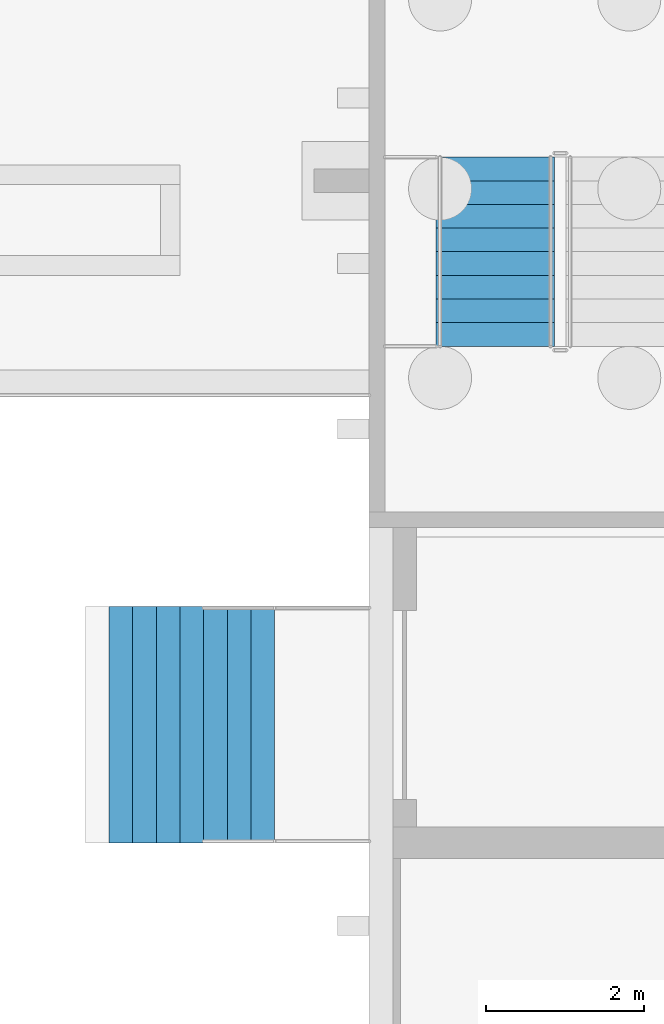
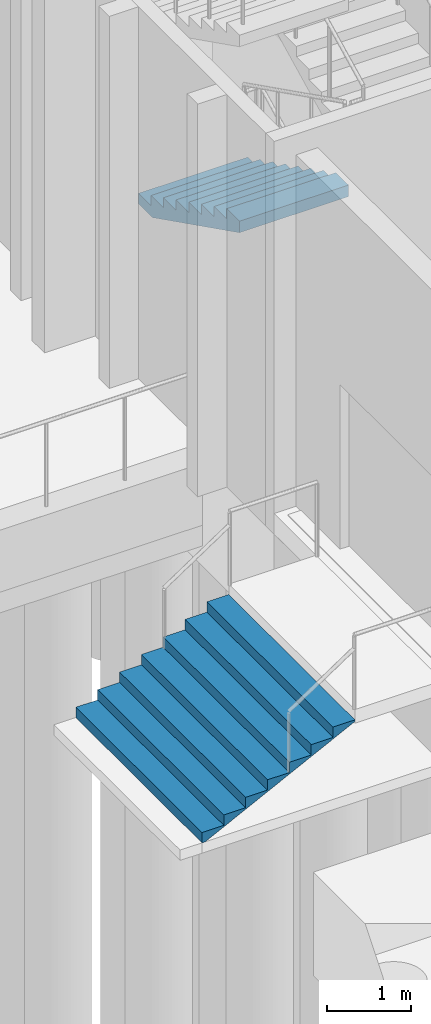
# One storey, part 79 of 129: 2 stair flights, 2 elements without a shape of their own.
"""IFC4 building model written with IfcOpenShell, lengths in metres."""

from ifc_helpers import new_model, si_unit, direction, frame, origin, place, context, subcontext, project, spatial, faceted_brep, material, type_object, element, aggregate, save


model = new_model("IFC4")

# Units and contexts
model_context = context("Model", 3, precision=1e-05, world=origin(), true_north=direction((0.0, 1.0)))
body_context = subcontext(model_context, "Body", "Model", "MODEL_VIEW")
ifc_project = project(units=[si_unit("LENGTHUNIT", "METRE"), si_unit("AREAUNIT", "SQUARE_METRE"), si_unit("VOLUMEUNIT", "CUBIC_METRE"), si_unit("PLANEANGLEUNIT", "RADIAN"), si_unit("MASSUNIT", "GRAM", prefix="KILO")], contexts=[model_context])

# Site, building, storey
site_placement = place(None, origin())
site = spatial("IfcSite", under=ifc_project, at=site_placement, CompositionType="ELEMENT")
building_placement = place(site_placement, origin())
building = spatial("IfcBuilding", under=site, at=building_placement, Name="Kiln Court Media Centre", CompositionType="ELEMENT")
storey_placement = place(building_placement, origin())
storey = spatial("IfcBuildingStorey", under=building, at=storey_placement, Name="L00", CompositionType="ELEMENT", Elevation=0.0)

# Stair, stair flight
ifc_material_1 = material(Name="Concrete C30/37", Category="concrete")
stair_type_1 = type_object("IfcStairType", Name="Concrete C30/37 porch steps EN-10", PredefinedType="STRAIGHT_RUN_STAIR", material=ifc_material_1)
stair_1_placement = place(storey_placement, origin())
stair_1 = element("IfcStair", 1, at=stair_1_placement, inside=storey, type_object=stair_type_1, Name="Concrete C30/37 porch steps EN-10", PredefinedType="STRAIGHT_RUN_STAIR")
ifc_material_2 = material(Name="Concrete C30/37", Category="concrete")
stair_flight_type_1 = type_object("IfcStairFlightType", Name="Concrete C30/37 porch steps EN-10 flight", PredefinedType="STRAIGHT", material=ifc_material_2)
stair_flight_1_placement = place(storey_placement, frame((122.699951171875, 14.10009765625, -1.199951171875), z_axis=(0.0, 0.0, 1.0), x_axis=(1.0, 0.0, 0.0)))
stair_flight_1 = element("IfcStairFlight", 2, at=stair_flight_1_placement, type_object=stair_flight_type_1, Name="ST-E5 flight 1", NumberOfRisers=8, NumberOfTreads=7, PredefinedType="STRAIGHT", RiserHeight=0.15, TreadLength=0.3, context=body_context, shape_type="Brep", body=[
    faceted_brep([(0.044677734375, -1.5, 0.0), (2.10009765625, -1.5, 1.027587890625), (2.10009765625, -1.5, 1.050048828125), (1.800048828125, -1.5, 1.050048828125), (1.800048828125, -1.5, 0.89990234375), (1.5, -1.5, 0.89990234375), (1.5, -1.5, 0.75), (1.199951171875, -1.5, 0.75), (1.199951171875, -1.5, 0.60009765625), (0.89990234375, -1.5, 0.60009765625), (0.89990234375, -1.5, 0.449951171875), (0.60009765625, -1.5, 0.449951171875), (0.60009765625, -1.5, 0.300048828125), (0.300048828125, -1.5, 0.300048828125), (0.300048828125, -1.5, 0.14990234375), (0.0, -1.5, 0.14990234375), (0.0, -1.5, 0.0), (0.0, 1.5, 0.0), (0.0, 1.5, 0.14990234375), (0.300048828125, 1.5, 0.14990234375), (0.300048828125, 1.5, 0.300048828125), (0.60009765625, 1.5, 0.300048828125), (0.60009765625, 1.5, 0.449951171875), (0.89990234375, 1.5, 0.449951171875), (0.89990234375, 1.5, 0.60009765625), (1.199951171875, 1.5, 0.60009765625), (1.199951171875, 1.5, 0.75), (1.5, 1.5, 0.75), (1.5, 1.5, 0.89990234375), (1.800048828125, 1.5, 0.89990234375), (1.800048828125, 1.5, 1.050048828125), (2.10009765625, 1.5, 1.050048828125), (2.10009765625, 1.5, 1.027587890625), (0.044677734375, 1.5, 0.0), (2.10009765625, 0.10009765625, 1.027587890625), (0.044677734375, 0.10009765625, 0.0), (2.10009765625, 0.080078125, 1.027587890625), (0.044677734375, 0.080078125, 0.0), (2.10009765625, 0.06005859375, 1.027587890625), (0.044677734375, 0.06005859375, 0.0), (2.10009765625, 0.0400390625, 1.027587890625), (0.044677734375, 0.0400390625, 0.0), (2.10009765625, 0.02001953125, 1.027587890625), (0.044677734375, 0.02001953125, 0.0), (2.10009765625, 0.0, 1.027587890625), (0.044677734375, 0.0, 0.0), (2.10009765625, -0.02001953125, 1.027587890625), (0.044677734375, -0.02001953125, 0.0), (2.10009765625, -0.0400390625, 1.027587890625), (0.044677734375, -0.0400390625, 0.0), (2.10009765625, -0.06005859375, 1.027587890625), (0.044677734375, -0.06005859375, 0.0), (2.10009765625, -0.080078125, 1.027587890625), (0.044677734375, -0.080078125, 0.0), (2.10009765625, -0.10009765625, 1.027587890625), (0.044677734375, -0.10009765625, 0.0), (2.10009765625, 0.10009765625, 1.050048828125), (2.10009765625, 0.080078125, 1.050048828125), (2.10009765625, 0.06005859375, 1.050048828125), (2.10009765625, 0.0400390625, 1.050048828125), (2.10009765625, 0.02001953125, 1.050048828125), (2.10009765625, 0.0, 1.050048828125), (2.10009765625, -0.02001953125, 1.050048828125), (2.10009765625, -0.0400390625, 1.050048828125), (2.10009765625, -0.06005859375, 1.050048828125), (2.10009765625, -0.080078125, 1.050048828125), (2.10009765625, -0.10009765625, 1.050048828125), (1.800048828125, 0.10009765625, 1.050048828125), (1.800048828125, 0.080078125, 1.050048828125), (1.800048828125, 0.06005859375, 1.050048828125), (1.800048828125, 0.0400390625, 1.050048828125), (1.800048828125, 0.02001953125, 1.050048828125), (1.800048828125, 0.0, 1.050048828125), (1.800048828125, -0.02001953125, 1.050048828125), (1.800048828125, -0.0400390625, 1.050048828125), (1.800048828125, -0.06005859375, 1.050048828125), (1.800048828125, -0.080078125, 1.050048828125), (1.800048828125, -0.10009765625, 1.050048828125), (1.800048828125, 0.10009765625, 0.89990234375), (1.800048828125, 0.080078125, 0.89990234375), (1.800048828125, 0.06005859375, 0.89990234375), (1.800048828125, 0.0400390625, 0.89990234375), (1.800048828125, 0.02001953125, 0.89990234375), (1.800048828125, 0.0, 0.89990234375), (1.800048828125, -0.02001953125, 0.89990234375), (1.800048828125, -0.0400390625, 0.89990234375), (1.800048828125, -0.06005859375, 0.89990234375), (1.800048828125, -0.080078125, 0.89990234375), (1.800048828125, -0.10009765625, 0.89990234375), (1.5, 0.10009765625, 0.89990234375), (1.5, 0.080078125, 0.89990234375), (1.5, 0.06005859375, 0.89990234375), (1.5, 0.0400390625, 0.89990234375), (1.5, 0.02001953125, 0.89990234375), (1.5, 0.0, 0.89990234375), (1.5, -0.02001953125, 0.89990234375), (1.5, -0.0400390625, 0.89990234375), (1.5, -0.06005859375, 0.89990234375), (1.5, -0.080078125, 0.89990234375), (1.5, -0.10009765625, 0.89990234375), (1.5, 0.10009765625, 0.75), (1.5, 0.080078125, 0.75), (1.5, 0.06005859375, 0.75), (1.5, 0.0400390625, 0.75), (1.5, 0.02001953125, 0.75), (1.5, 0.0, 0.75), (1.5, -0.02001953125, 0.75), (1.5, -0.0400390625, 0.75), (1.5, -0.06005859375, 0.75), (1.5, -0.080078125, 0.75), (1.5, -0.10009765625, 0.75), (1.199951171875, 0.10009765625, 0.75), (1.199951171875, 0.080078125, 0.75), (1.199951171875, 0.06005859375, 0.75), (1.199951171875, 0.0400390625, 0.75), (1.199951171875, 0.02001953125, 0.75), (1.199951171875, 0.0, 0.75), (1.199951171875, -0.02001953125, 0.75), (1.199951171875, -0.0400390625, 0.75), (1.199951171875, -0.06005859375, 0.75), (1.199951171875, -0.080078125, 0.75), (1.199951171875, -0.10009765625, 0.75), (1.199951171875, 0.10009765625, 0.60009765625), (1.199951171875, 0.080078125, 0.60009765625), (1.199951171875, 0.06005859375, 0.60009765625), (1.199951171875, 0.0400390625, 0.60009765625), (1.199951171875, 0.02001953125, 0.60009765625), (1.199951171875, 0.0, 0.60009765625), (1.199951171875, -0.02001953125, 0.60009765625), (1.199951171875, -0.0400390625, 0.60009765625), (1.199951171875, -0.06005859375, 0.60009765625), (1.199951171875, -0.080078125, 0.60009765625), (1.199951171875, -0.10009765625, 0.60009765625), (0.89990234375, 0.10009765625, 0.60009765625), (0.89990234375, 0.080078125, 0.60009765625), (0.89990234375, 0.06005859375, 0.60009765625), (0.89990234375, 0.0400390625, 0.60009765625), (0.89990234375, 0.02001953125, 0.60009765625), (0.89990234375, 0.0, 0.60009765625), (0.89990234375, -0.02001953125, 0.60009765625), (0.89990234375, -0.0400390625, 0.60009765625), (0.89990234375, -0.06005859375, 0.60009765625), (0.89990234375, -0.080078125, 0.60009765625), (0.89990234375, -0.10009765625, 0.60009765625), (0.89990234375, 0.10009765625, 0.449951171875), (0.89990234375, 0.080078125, 0.449951171875), (0.89990234375, 0.06005859375, 0.449951171875), (0.89990234375, 0.0400390625, 0.449951171875), (0.89990234375, 0.02001953125, 0.449951171875), (0.89990234375, 0.0, 0.449951171875), (0.89990234375, -0.02001953125, 0.449951171875), (0.89990234375, -0.0400390625, 0.449951171875), (0.89990234375, -0.06005859375, 0.449951171875), (0.89990234375, -0.080078125, 0.449951171875), (0.89990234375, -0.10009765625, 0.449951171875), (0.60009765625, 0.10009765625, 0.449951171875), (0.60009765625, 0.080078125, 0.449951171875), (0.60009765625, 0.06005859375, 0.449951171875), (0.60009765625, 0.0400390625, 0.449951171875), (0.60009765625, 0.02001953125, 0.449951171875), (0.60009765625, 0.0, 0.449951171875), (0.60009765625, -0.02001953125, 0.449951171875), (0.60009765625, -0.0400390625, 0.449951171875), (0.60009765625, -0.06005859375, 0.449951171875), (0.60009765625, -0.080078125, 0.449951171875), (0.60009765625, -0.10009765625, 0.449951171875), (0.60009765625, 0.10009765625, 0.300048828125), (0.60009765625, 0.080078125, 0.300048828125), (0.60009765625, 0.06005859375, 0.300048828125), (0.60009765625, 0.0400390625, 0.300048828125), (0.60009765625, 0.02001953125, 0.300048828125), (0.60009765625, 0.0, 0.300048828125), (0.60009765625, -0.02001953125, 0.300048828125), (0.60009765625, -0.0400390625, 0.300048828125), (0.60009765625, -0.06005859375, 0.300048828125), (0.60009765625, -0.080078125, 0.300048828125), (0.60009765625, -0.10009765625, 0.300048828125), (0.300048828125, 0.10009765625, 0.300048828125), (0.300048828125, 0.080078125, 0.300048828125), (0.300048828125, 0.06005859375, 0.300048828125), (0.300048828125, 0.0400390625, 0.300048828125), (0.300048828125, 0.02001953125, 0.300048828125), (0.300048828125, 0.0, 0.300048828125), (0.300048828125, -0.02001953125, 0.300048828125), (0.300048828125, -0.0400390625, 0.300048828125), (0.300048828125, -0.06005859375, 0.300048828125), (0.300048828125, -0.080078125, 0.300048828125), (0.300048828125, -0.10009765625, 0.300048828125), (0.300048828125, 0.10009765625, 0.14990234375), (0.300048828125, 0.080078125, 0.14990234375), (0.300048828125, 0.06005859375, 0.14990234375), (0.300048828125, 0.0400390625, 0.14990234375), (0.300048828125, 0.02001953125, 0.14990234375), (0.300048828125, 0.0, 0.14990234375), (0.300048828125, -0.02001953125, 0.14990234375), (0.300048828125, -0.0400390625, 0.14990234375), (0.300048828125, -0.06005859375, 0.14990234375), (0.300048828125, -0.080078125, 0.14990234375), (0.300048828125, -0.10009765625, 0.14990234375), (0.0, 0.10009765625, 0.14990234375), (0.0, 0.080078125, 0.14990234375), (0.0, 0.06005859375, 0.14990234375), (0.0, 0.0400390625, 0.14990234375), (0.0, 0.02001953125, 0.14990234375), (0.0, 0.0, 0.14990234375), (0.0, -0.02001953125, 0.14990234375), (0.0, -0.0400390625, 0.14990234375), (0.0, -0.06005859375, 0.14990234375), (0.0, -0.080078125, 0.14990234375), (0.0, -0.10009765625, 0.14990234375), (0.0, 0.10009765625, 0.0), (0.0, 0.080078125, 0.0), (0.0, 0.06005859375, 0.0), (0.0, 0.0400390625, 0.0), (0.0, 0.02001953125, 0.0), (0.0, 0.0, 0.0), (0.0, -0.02001953125, 0.0), (0.0, -0.0400390625, 0.0), (0.0, -0.06005859375, 0.0), (0.0, -0.080078125, 0.0), (0.0, -0.10009765625, 0.0)], [[[0, 1, 2, 3, 4, 5, 6, 7, 8, 9, 10, 11, 12, 13, 14, 15, 16]], [[17, 18, 19, 20, 21, 22, 23, 24, 25, 26, 27, 28, 29, 30, 31, 32, 33]], [[33, 32, 34, 35]], [[35, 34, 36, 37]], [[37, 36, 38, 39]], [[39, 38, 40, 41]], [[41, 40, 42, 43]], [[43, 42, 44, 45]], [[45, 44, 46, 47]], [[47, 46, 48, 49]], [[49, 48, 50, 51]], [[51, 50, 52, 53]], [[53, 52, 54, 55]], [[55, 54, 1, 0]], [[32, 31, 56, 34]], [[34, 56, 57, 36]], [[36, 57, 58, 38]], [[38, 58, 59, 40]], [[40, 59, 60, 42]], [[42, 60, 61, 44]], [[44, 61, 62, 46]], [[46, 62, 63, 48]], [[48, 63, 64, 50]], [[50, 64, 65, 52]], [[52, 65, 66, 54]], [[54, 66, 2, 1]], [[31, 30, 67, 56]], [[56, 67, 68, 57]], [[57, 68, 69, 58]], [[58, 69, 70, 59]], [[59, 70, 71, 60]], [[60, 71, 72, 61]], [[61, 72, 73, 62]], [[62, 73, 74, 63]], [[63, 74, 75, 64]], [[64, 75, 76, 65]], [[65, 76, 77, 66]], [[66, 77, 3, 2]], [[30, 29, 78, 67]], [[67, 78, 79, 68]], [[68, 79, 80, 69]], [[69, 80, 81, 70]], [[70, 81, 82, 71]], [[71, 82, 83, 72]], [[72, 83, 84, 73]], [[73, 84, 85, 74]], [[74, 85, 86, 75]], [[75, 86, 87, 76]], [[76, 87, 88, 77]], [[77, 88, 4, 3]], [[29, 28, 89, 78]], [[78, 89, 90, 79]], [[79, 90, 91, 80]], [[80, 91, 92, 81]], [[81, 92, 93, 82]], [[82, 93, 94, 83]], [[83, 94, 95, 84]], [[84, 95, 96, 85]], [[85, 96, 97, 86]], [[86, 97, 98, 87]], [[87, 98, 99, 88]], [[88, 99, 5, 4]], [[28, 27, 100, 89]], [[89, 100, 101, 90]], [[90, 101, 102, 91]], [[91, 102, 103, 92]], [[92, 103, 104, 93]], [[93, 104, 105, 94]], [[94, 105, 106, 95]], [[95, 106, 107, 96]], [[96, 107, 108, 97]], [[97, 108, 109, 98]], [[98, 109, 110, 99]], [[99, 110, 6, 5]], [[27, 26, 111, 100]], [[100, 111, 112, 101]], [[101, 112, 113, 102]], [[102, 113, 114, 103]], [[103, 114, 115, 104]], [[104, 115, 116, 105]], [[105, 116, 117, 106]], [[106, 117, 118, 107]], [[107, 118, 119, 108]], [[108, 119, 120, 109]], [[109, 120, 121, 110]], [[110, 121, 7, 6]], [[26, 25, 122, 111]], [[111, 122, 123, 112]], [[112, 123, 124, 113]], [[113, 124, 125, 114]], [[114, 125, 126, 115]], [[115, 126, 127, 116]], [[116, 127, 128, 117]], [[117, 128, 129, 118]], [[118, 129, 130, 119]], [[119, 130, 131, 120]], [[120, 131, 132, 121]], [[121, 132, 8, 7]], [[25, 24, 133, 122]], [[122, 133, 134, 123]], [[123, 134, 135, 124]], [[124, 135, 136, 125]], [[125, 136, 137, 126]], [[126, 137, 138, 127]], [[127, 138, 139, 128]], [[128, 139, 140, 129]], [[129, 140, 141, 130]], [[130, 141, 142, 131]], [[131, 142, 143, 132]], [[132, 143, 9, 8]], [[24, 23, 144, 133]], [[133, 144, 145, 134]], [[134, 145, 146, 135]], [[135, 146, 147, 136]], [[136, 147, 148, 137]], [[137, 148, 149, 138]], [[138, 149, 150, 139]], [[139, 150, 151, 140]], [[140, 151, 152, 141]], [[141, 152, 153, 142]], [[142, 153, 154, 143]], [[143, 154, 10, 9]], [[23, 22, 155, 144]], [[144, 155, 156, 145]], [[145, 156, 157, 146]], [[146, 157, 158, 147]], [[147, 158, 159, 148]], [[148, 159, 160, 149]], [[149, 160, 161, 150]], [[150, 161, 162, 151]], [[151, 162, 163, 152]], [[152, 163, 164, 153]], [[153, 164, 165, 154]], [[154, 165, 11, 10]], [[22, 21, 166, 155]], [[155, 166, 167, 156]], [[156, 167, 168, 157]], [[157, 168, 169, 158]], [[158, 169, 170, 159]], [[159, 170, 171, 160]], [[160, 171, 172, 161]], [[161, 172, 173, 162]], [[162, 173, 174, 163]], [[163, 174, 175, 164]], [[164, 175, 176, 165]], [[165, 176, 12, 11]], [[21, 20, 177, 166]], [[166, 177, 178, 167]], [[167, 178, 179, 168]], [[168, 179, 180, 169]], [[169, 180, 181, 170]], [[170, 181, 182, 171]], [[171, 182, 183, 172]], [[172, 183, 184, 173]], [[173, 184, 185, 174]], [[174, 185, 186, 175]], [[175, 186, 187, 176]], [[176, 187, 13, 12]], [[20, 19, 188, 177]], [[177, 188, 189, 178]], [[178, 189, 190, 179]], [[179, 190, 191, 180]], [[180, 191, 192, 181]], [[181, 192, 193, 182]], [[182, 193, 194, 183]], [[183, 194, 195, 184]], [[184, 195, 196, 185]], [[185, 196, 197, 186]], [[186, 197, 198, 187]], [[187, 198, 14, 13]], [[19, 18, 199, 188]], [[188, 199, 200, 189]], [[189, 200, 201, 190]], [[190, 201, 202, 191]], [[191, 202, 203, 192]], [[192, 203, 204, 193]], [[193, 204, 205, 194]], [[194, 205, 206, 195]], [[195, 206, 207, 196]], [[196, 207, 208, 197]], [[197, 208, 209, 198]], [[198, 209, 15, 14]], [[18, 17, 210, 199]], [[199, 210, 211, 200]], [[200, 211, 212, 201]], [[201, 212, 213, 202]], [[202, 213, 214, 203]], [[203, 214, 215, 204]], [[204, 215, 216, 205]], [[205, 216, 217, 206]], [[206, 217, 218, 207]], [[207, 218, 219, 208]], [[208, 219, 220, 209]], [[209, 220, 16, 15]], [[17, 33, 35, 210]], [[210, 35, 37, 211]], [[211, 37, 39, 212]], [[212, 39, 41, 213]], [[213, 41, 43, 214]], [[214, 43, 45, 215]], [[215, 45, 47, 216]], [[216, 47, 49, 217]], [[217, 49, 51, 218]], [[218, 51, 53, 219]], [[219, 53, 55, 220]], [[220, 55, 0, 16]]]),
])
aggregate(stair_1, [stair_flight_1])

ifc_material_3 = material(Name="Concrete C40/50", Category="concrete")
stair_type_2 = type_object("IfcStairType", Name="Concrete C40/50 dog-leg stair 1500 wide, 150 riser", PredefinedType="HALF_TURN_STAIR", material=ifc_material_3)
stair_2_placement = place(storey_placement, origin())
stair_2 = element("IfcStair", 3, at=stair_2_placement, inside=storey, type_object=stair_type_2, Name="ST-16 L00", PredefinedType="HALF_TURN_STAIR")
ifc_material_4 = material(Name="Concrete C40/50", Category="concrete")
stair_flight_type_2 = type_object("IfcStairFlightType", Name="Concrete C40/50 stair flight 1500 wide, 150 riser, 300 going", PredefinedType="STRAIGHT", material=ifc_material_4)
stair_flight_2_placement = place(storey_placement, frame((127.60009765625, 21.300048828125, 1.35009765625), z_axis=(0.0, 0.0, 1.0), x_axis=(0.0, -1.0, 0.0)))
stair_flight_2 = element("IfcStairFlight", 4, at=stair_flight_2_placement, type_object=stair_flight_type_2, Name="L00-ST-5015 flight 5061", NumberOfRisers=9, NumberOfTreads=8, PredefinedType="STRAIGHT", RiserHeight=0.15, TreadLength=0.3, context=body_context, shape_type="Brep", body=[
    faceted_brep([(0.335205078125, -0.75, 0.0), (2.39990234375, -0.75, 1.032470703125), (2.39990234375, -0.75, 1.199951171875), (2.10009765625, -0.75, 1.199951171875), (2.10009765625, -0.75, 1.050048828125), (1.800048828125, -0.75, 1.050048828125), (1.800048828125, -0.75, 0.89990234375), (1.5, -0.75, 0.89990234375), (1.5, -0.75, 0.75), (1.199951171875, -0.75, 0.75), (1.199951171875, -0.75, 0.60009765625), (0.89990234375, -0.75, 0.60009765625), (0.89990234375, -0.75, 0.449951171875), (0.60009765625, -0.75, 0.449951171875), (0.60009765625, -0.75, 0.300048828125), (0.300048828125, -0.75, 0.300048828125), (0.300048828125, -0.75, 0.14990234375), (0.0, -0.75, 0.14990234375), (0.0, -0.75, 0.0), (0.0, 0.75, 0.0), (0.0, 0.75, 0.14990234375), (0.300048828125, 0.75, 0.14990234375), (0.300048828125, 0.75, 0.300048828125), (0.60009765625, 0.75, 0.300048828125), (0.60009765625, 0.75, 0.449951171875), (0.89990234375, 0.75, 0.449951171875), (0.89990234375, 0.75, 0.60009765625), (1.199951171875, 0.75, 0.60009765625), (1.199951171875, 0.75, 0.75), (1.5, 0.75, 0.75), (1.5, 0.75, 0.89990234375), (1.800048828125, 0.75, 0.89990234375), (1.800048828125, 0.75, 1.050048828125), (2.10009765625, 0.75, 1.050048828125), (2.10009765625, 0.75, 1.199951171875), (2.39990234375, 0.75, 1.199951171875), (2.39990234375, 0.75, 1.032470703125), (0.335205078125, 0.75, 0.0), (2.39990234375, 0.10009765625, 1.032470703125), (0.335205078125, 0.10009765625, 0.0), (2.39990234375, 0.080078125, 1.032470703125), (0.335205078125, 0.080078125, 0.0), (2.39990234375, 0.06005859375, 1.032470703125), (0.335205078125, 0.06005859375, 0.0), (2.39990234375, 0.0400390625, 1.032470703125), (0.335205078125, 0.0400390625, 0.0), (2.39990234375, 0.02001953125, 1.032470703125), (0.335205078125, 0.02001953125, 0.0), (2.39990234375, 0.0, 1.032470703125), (0.335205078125, 0.0, 0.0), (2.39990234375, -0.02001953125, 1.032470703125), (0.335205078125, -0.02001953125, 0.0), (2.39990234375, -0.0400390625, 1.032470703125), (0.335205078125, -0.0400390625, 0.0), (2.39990234375, -0.06005859375, 1.032470703125), (0.335205078125, -0.06005859375, 0.0), (2.39990234375, -0.080078125, 1.032470703125), (0.335205078125, -0.080078125, 0.0), (2.39990234375, -0.10009765625, 1.032470703125), (0.335205078125, -0.10009765625, 0.0), (2.39990234375, 0.10009765625, 1.199951171875), (2.39990234375, 0.080078125, 1.199951171875), (2.39990234375, 0.06005859375, 1.199951171875), (2.39990234375, 0.0400390625, 1.199951171875), (2.39990234375, 0.02001953125, 1.199951171875), (2.39990234375, 0.0, 1.199951171875), (2.39990234375, -0.02001953125, 1.199951171875), (2.39990234375, -0.0400390625, 1.199951171875), (2.39990234375, -0.06005859375, 1.199951171875), (2.39990234375, -0.080078125, 1.199951171875), (2.39990234375, -0.10009765625, 1.199951171875), (2.10009765625, 0.10009765625, 1.199951171875), (2.10009765625, 0.080078125, 1.199951171875), (2.10009765625, 0.06005859375, 1.199951171875), (2.10009765625, 0.0400390625, 1.199951171875), (2.10009765625, 0.02001953125, 1.199951171875), (2.10009765625, 0.0, 1.199951171875), (2.10009765625, -0.02001953125, 1.199951171875), (2.10009765625, -0.0400390625, 1.199951171875), (2.10009765625, -0.06005859375, 1.199951171875), (2.10009765625, -0.080078125, 1.199951171875), (2.10009765625, -0.10009765625, 1.199951171875), (2.10009765625, 0.10009765625, 1.050048828125), (2.10009765625, 0.080078125, 1.050048828125), (2.10009765625, 0.06005859375, 1.050048828125), (2.10009765625, 0.0400390625, 1.050048828125), (2.10009765625, 0.02001953125, 1.050048828125), (2.10009765625, 0.0, 1.050048828125), (2.10009765625, -0.02001953125, 1.050048828125), (2.10009765625, -0.0400390625, 1.050048828125), (2.10009765625, -0.06005859375, 1.050048828125), (2.10009765625, -0.080078125, 1.050048828125), (2.10009765625, -0.10009765625, 1.050048828125), (1.800048828125, 0.10009765625, 1.050048828125), (1.800048828125, 0.080078125, 1.050048828125), (1.800048828125, 0.06005859375, 1.050048828125), (1.800048828125, 0.0400390625, 1.050048828125), (1.800048828125, 0.02001953125, 1.050048828125), (1.800048828125, 0.0, 1.050048828125), (1.800048828125, -0.02001953125, 1.050048828125), (1.800048828125, -0.0400390625, 1.050048828125), (1.800048828125, -0.06005859375, 1.050048828125), (1.800048828125, -0.080078125, 1.050048828125), (1.800048828125, -0.10009765625, 1.050048828125), (1.800048828125, 0.10009765625, 0.89990234375), (1.800048828125, 0.080078125, 0.89990234375), (1.800048828125, 0.06005859375, 0.89990234375), (1.800048828125, 0.0400390625, 0.89990234375), (1.800048828125, 0.02001953125, 0.89990234375), (1.800048828125, 0.0, 0.89990234375), (1.800048828125, -0.02001953125, 0.89990234375), (1.800048828125, -0.0400390625, 0.89990234375), (1.800048828125, -0.06005859375, 0.89990234375), (1.800048828125, -0.080078125, 0.89990234375), (1.800048828125, -0.10009765625, 0.89990234375), (1.5, 0.10009765625, 0.89990234375), (1.5, 0.080078125, 0.89990234375), (1.5, 0.06005859375, 0.89990234375), (1.5, 0.0400390625, 0.89990234375), (1.5, 0.02001953125, 0.89990234375), (1.5, 0.0, 0.89990234375), (1.5, -0.02001953125, 0.89990234375), (1.5, -0.0400390625, 0.89990234375), (1.5, -0.06005859375, 0.89990234375), (1.5, -0.080078125, 0.89990234375), (1.5, -0.10009765625, 0.89990234375), (1.5, 0.10009765625, 0.75), (1.5, 0.080078125, 0.75), (1.5, 0.06005859375, 0.75), (1.5, 0.0400390625, 0.75), (1.5, 0.02001953125, 0.75), (1.5, 0.0, 0.75), (1.5, -0.02001953125, 0.75), (1.5, -0.0400390625, 0.75), (1.5, -0.06005859375, 0.75), (1.5, -0.080078125, 0.75), (1.5, -0.10009765625, 0.75), (1.199951171875, 0.10009765625, 0.75), (1.199951171875, 0.080078125, 0.75), (1.199951171875, 0.06005859375, 0.75), (1.199951171875, 0.0400390625, 0.75), (1.199951171875, 0.02001953125, 0.75), (1.199951171875, 0.0, 0.75), (1.199951171875, -0.02001953125, 0.75), (1.199951171875, -0.0400390625, 0.75), (1.199951171875, -0.06005859375, 0.75), (1.199951171875, -0.080078125, 0.75), (1.199951171875, -0.10009765625, 0.75), (1.199951171875, 0.10009765625, 0.60009765625), (1.199951171875, 0.080078125, 0.60009765625), (1.199951171875, 0.06005859375, 0.60009765625), (1.199951171875, 0.0400390625, 0.60009765625), (1.199951171875, 0.02001953125, 0.60009765625), (1.199951171875, 0.0, 0.60009765625), (1.199951171875, -0.02001953125, 0.60009765625), (1.199951171875, -0.0400390625, 0.60009765625), (1.199951171875, -0.06005859375, 0.60009765625), (1.199951171875, -0.080078125, 0.60009765625), (1.199951171875, -0.10009765625, 0.60009765625), (0.89990234375, 0.10009765625, 0.60009765625), (0.89990234375, 0.080078125, 0.60009765625), (0.89990234375, 0.06005859375, 0.60009765625), (0.89990234375, 0.0400390625, 0.60009765625), (0.89990234375, 0.02001953125, 0.60009765625), (0.89990234375, 0.0, 0.60009765625), (0.89990234375, -0.02001953125, 0.60009765625), (0.89990234375, -0.0400390625, 0.60009765625), (0.89990234375, -0.06005859375, 0.60009765625), (0.89990234375, -0.080078125, 0.60009765625), (0.89990234375, -0.10009765625, 0.60009765625), (0.89990234375, 0.10009765625, 0.449951171875), (0.89990234375, 0.080078125, 0.449951171875), (0.89990234375, 0.06005859375, 0.449951171875), (0.89990234375, 0.0400390625, 0.449951171875), (0.89990234375, 0.02001953125, 0.449951171875), (0.89990234375, 0.0, 0.449951171875), (0.89990234375, -0.02001953125, 0.449951171875), (0.89990234375, -0.0400390625, 0.449951171875), (0.89990234375, -0.06005859375, 0.449951171875), (0.89990234375, -0.080078125, 0.449951171875), (0.89990234375, -0.10009765625, 0.449951171875), (0.60009765625, 0.10009765625, 0.449951171875), (0.60009765625, 0.080078125, 0.449951171875), (0.60009765625, 0.06005859375, 0.449951171875), (0.60009765625, 0.0400390625, 0.449951171875), (0.60009765625, 0.02001953125, 0.449951171875), (0.60009765625, 0.0, 0.449951171875), (0.60009765625, -0.02001953125, 0.449951171875), (0.60009765625, -0.0400390625, 0.449951171875), (0.60009765625, -0.06005859375, 0.449951171875), (0.60009765625, -0.080078125, 0.449951171875), (0.60009765625, -0.10009765625, 0.449951171875), (0.60009765625, 0.10009765625, 0.300048828125), (0.60009765625, 0.080078125, 0.300048828125), (0.60009765625, 0.06005859375, 0.300048828125), (0.60009765625, 0.0400390625, 0.300048828125), (0.60009765625, 0.02001953125, 0.300048828125), (0.60009765625, 0.0, 0.300048828125), (0.60009765625, -0.02001953125, 0.300048828125), (0.60009765625, -0.0400390625, 0.300048828125), (0.60009765625, -0.06005859375, 0.300048828125), (0.60009765625, -0.080078125, 0.300048828125), (0.60009765625, -0.10009765625, 0.300048828125), (0.300048828125, 0.10009765625, 0.300048828125), (0.300048828125, 0.080078125, 0.300048828125), (0.300048828125, 0.06005859375, 0.300048828125), (0.300048828125, 0.0400390625, 0.300048828125), (0.300048828125, 0.02001953125, 0.300048828125), (0.300048828125, 0.0, 0.300048828125), (0.300048828125, -0.02001953125, 0.300048828125), (0.300048828125, -0.0400390625, 0.300048828125), (0.300048828125, -0.06005859375, 0.300048828125), (0.300048828125, -0.080078125, 0.300048828125), (0.300048828125, -0.10009765625, 0.300048828125), (0.300048828125, 0.10009765625, 0.14990234375), (0.300048828125, 0.080078125, 0.14990234375), (0.300048828125, 0.06005859375, 0.14990234375), (0.300048828125, 0.0400390625, 0.14990234375), (0.300048828125, 0.02001953125, 0.14990234375), (0.300048828125, 0.0, 0.14990234375), (0.300048828125, -0.02001953125, 0.14990234375), (0.300048828125, -0.0400390625, 0.14990234375), (0.300048828125, -0.06005859375, 0.14990234375), (0.300048828125, -0.080078125, 0.14990234375), (0.300048828125, -0.10009765625, 0.14990234375), (0.0, 0.10009765625, 0.14990234375), (0.0, 0.080078125, 0.14990234375), (0.0, 0.06005859375, 0.14990234375), (0.0, 0.0400390625, 0.14990234375), (0.0, 0.02001953125, 0.14990234375), (0.0, 0.0, 0.14990234375), (0.0, -0.02001953125, 0.14990234375), (0.0, -0.0400390625, 0.14990234375), (0.0, -0.06005859375, 0.14990234375), (0.0, -0.080078125, 0.14990234375), (0.0, -0.10009765625, 0.14990234375), (0.0, 0.10009765625, 0.0), (0.0, 0.080078125, 0.0), (0.0, 0.06005859375, 0.0), (0.0, 0.0400390625, 0.0), (0.0, 0.02001953125, 0.0), (0.0, 0.0, 0.0), (0.0, -0.02001953125, 0.0), (0.0, -0.0400390625, 0.0), (0.0, -0.06005859375, 0.0), (0.0, -0.080078125, 0.0), (0.0, -0.10009765625, 0.0)], [[[0, 1, 2, 3, 4, 5, 6, 7, 8, 9, 10, 11, 12, 13, 14, 15, 16, 17, 18]], [[19, 20, 21, 22, 23, 24, 25, 26, 27, 28, 29, 30, 31, 32, 33, 34, 35, 36, 37]], [[37, 36, 38, 39]], [[39, 38, 40, 41]], [[41, 40, 42, 43]], [[43, 42, 44, 45]], [[45, 44, 46, 47]], [[47, 46, 48, 49]], [[49, 48, 50, 51]], [[51, 50, 52, 53]], [[53, 52, 54, 55]], [[55, 54, 56, 57]], [[57, 56, 58, 59]], [[59, 58, 1, 0]], [[36, 35, 60, 38]], [[38, 60, 61, 40]], [[40, 61, 62, 42]], [[42, 62, 63, 44]], [[44, 63, 64, 46]], [[46, 64, 65, 48]], [[48, 65, 66, 50]], [[50, 66, 67, 52]], [[52, 67, 68, 54]], [[54, 68, 69, 56]], [[56, 69, 70, 58]], [[58, 70, 2, 1]], [[35, 34, 71, 60]], [[60, 71, 72, 61]], [[61, 72, 73, 62]], [[62, 73, 74, 63]], [[63, 74, 75, 64]], [[64, 75, 76, 65]], [[65, 76, 77, 66]], [[66, 77, 78, 67]], [[67, 78, 79, 68]], [[68, 79, 80, 69]], [[69, 80, 81, 70]], [[70, 81, 3, 2]], [[34, 33, 82, 71]], [[71, 82, 83, 72]], [[72, 83, 84, 73]], [[73, 84, 85, 74]], [[74, 85, 86, 75]], [[75, 86, 87, 76]], [[76, 87, 88, 77]], [[77, 88, 89, 78]], [[78, 89, 90, 79]], [[79, 90, 91, 80]], [[80, 91, 92, 81]], [[81, 92, 4, 3]], [[33, 32, 93, 82]], [[82, 93, 94, 83]], [[83, 94, 95, 84]], [[84, 95, 96, 85]], [[85, 96, 97, 86]], [[86, 97, 98, 87]], [[87, 98, 99, 88]], [[88, 99, 100, 89]], [[89, 100, 101, 90]], [[90, 101, 102, 91]], [[91, 102, 103, 92]], [[92, 103, 5, 4]], [[32, 31, 104, 93]], [[93, 104, 105, 94]], [[94, 105, 106, 95]], [[95, 106, 107, 96]], [[96, 107, 108, 97]], [[97, 108, 109, 98]], [[98, 109, 110, 99]], [[99, 110, 111, 100]], [[100, 111, 112, 101]], [[101, 112, 113, 102]], [[102, 113, 114, 103]], [[103, 114, 6, 5]], [[31, 30, 115, 104]], [[104, 115, 116, 105]], [[105, 116, 117, 106]], [[106, 117, 118, 107]], [[107, 118, 119, 108]], [[108, 119, 120, 109]], [[109, 120, 121, 110]], [[110, 121, 122, 111]], [[111, 122, 123, 112]], [[112, 123, 124, 113]], [[113, 124, 125, 114]], [[114, 125, 7, 6]], [[30, 29, 126, 115]], [[115, 126, 127, 116]], [[116, 127, 128, 117]], [[117, 128, 129, 118]], [[118, 129, 130, 119]], [[119, 130, 131, 120]], [[120, 131, 132, 121]], [[121, 132, 133, 122]], [[122, 133, 134, 123]], [[123, 134, 135, 124]], [[124, 135, 136, 125]], [[125, 136, 8, 7]], [[29, 28, 137, 126]], [[126, 137, 138, 127]], [[127, 138, 139, 128]], [[128, 139, 140, 129]], [[129, 140, 141, 130]], [[130, 141, 142, 131]], [[131, 142, 143, 132]], [[132, 143, 144, 133]], [[133, 144, 145, 134]], [[134, 145, 146, 135]], [[135, 146, 147, 136]], [[136, 147, 9, 8]], [[28, 27, 148, 137]], [[137, 148, 149, 138]], [[138, 149, 150, 139]], [[139, 150, 151, 140]], [[140, 151, 152, 141]], [[141, 152, 153, 142]], [[142, 153, 154, 143]], [[143, 154, 155, 144]], [[144, 155, 156, 145]], [[145, 156, 157, 146]], [[146, 157, 158, 147]], [[147, 158, 10, 9]], [[27, 26, 159, 148]], [[148, 159, 160, 149]], [[149, 160, 161, 150]], [[150, 161, 162, 151]], [[151, 162, 163, 152]], [[152, 163, 164, 153]], [[153, 164, 165, 154]], [[154, 165, 166, 155]], [[155, 166, 167, 156]], [[156, 167, 168, 157]], [[157, 168, 169, 158]], [[158, 169, 11, 10]], [[26, 25, 170, 159]], [[159, 170, 171, 160]], [[160, 171, 172, 161]], [[161, 172, 173, 162]], [[162, 173, 174, 163]], [[163, 174, 175, 164]], [[164, 175, 176, 165]], [[165, 176, 177, 166]], [[166, 177, 178, 167]], [[167, 178, 179, 168]], [[168, 179, 180, 169]], [[169, 180, 12, 11]], [[25, 24, 181, 170]], [[170, 181, 182, 171]], [[171, 182, 183, 172]], [[172, 183, 184, 173]], [[173, 184, 185, 174]], [[174, 185, 186, 175]], [[175, 186, 187, 176]], [[176, 187, 188, 177]], [[177, 188, 189, 178]], [[178, 189, 190, 179]], [[179, 190, 191, 180]], [[180, 191, 13, 12]], [[24, 23, 192, 181]], [[181, 192, 193, 182]], [[182, 193, 194, 183]], [[183, 194, 195, 184]], [[184, 195, 196, 185]], [[185, 196, 197, 186]], [[186, 197, 198, 187]], [[187, 198, 199, 188]], [[188, 199, 200, 189]], [[189, 200, 201, 190]], [[190, 201, 202, 191]], [[191, 202, 14, 13]], [[23, 22, 203, 192]], [[192, 203, 204, 193]], [[193, 204, 205, 194]], [[194, 205, 206, 195]], [[195, 206, 207, 196]], [[196, 207, 208, 197]], [[197, 208, 209, 198]], [[198, 209, 210, 199]], [[199, 210, 211, 200]], [[200, 211, 212, 201]], [[201, 212, 213, 202]], [[202, 213, 15, 14]], [[22, 21, 214, 203]], [[203, 214, 215, 204]], [[204, 215, 216, 205]], [[205, 216, 217, 206]], [[206, 217, 218, 207]], [[207, 218, 219, 208]], [[208, 219, 220, 209]], [[209, 220, 221, 210]], [[210, 221, 222, 211]], [[211, 222, 223, 212]], [[212, 223, 224, 213]], [[213, 224, 16, 15]], [[21, 20, 225, 214]], [[214, 225, 226, 215]], [[215, 226, 227, 216]], [[216, 227, 228, 217]], [[217, 228, 229, 218]], [[218, 229, 230, 219]], [[219, 230, 231, 220]], [[220, 231, 232, 221]], [[221, 232, 233, 222]], [[222, 233, 234, 223]], [[223, 234, 235, 224]], [[224, 235, 17, 16]], [[20, 19, 236, 225]], [[225, 236, 237, 226]], [[226, 237, 238, 227]], [[227, 238, 239, 228]], [[228, 239, 240, 229]], [[229, 240, 241, 230]], [[230, 241, 242, 231]], [[231, 242, 243, 232]], [[232, 243, 244, 233]], [[233, 244, 245, 234]], [[234, 245, 246, 235]], [[235, 246, 18, 17]], [[19, 37, 39, 236]], [[236, 39, 41, 237]], [[237, 41, 43, 238]], [[238, 43, 45, 239]], [[239, 45, 47, 240]], [[240, 47, 49, 241]], [[241, 49, 51, 242]], [[242, 51, 53, 243]], [[243, 53, 55, 244]], [[244, 55, 57, 245]], [[245, 57, 59, 246]], [[246, 59, 0, 18]]]),
])
aggregate(stair_2, [stair_flight_2])

save(model, "model.ifc")
